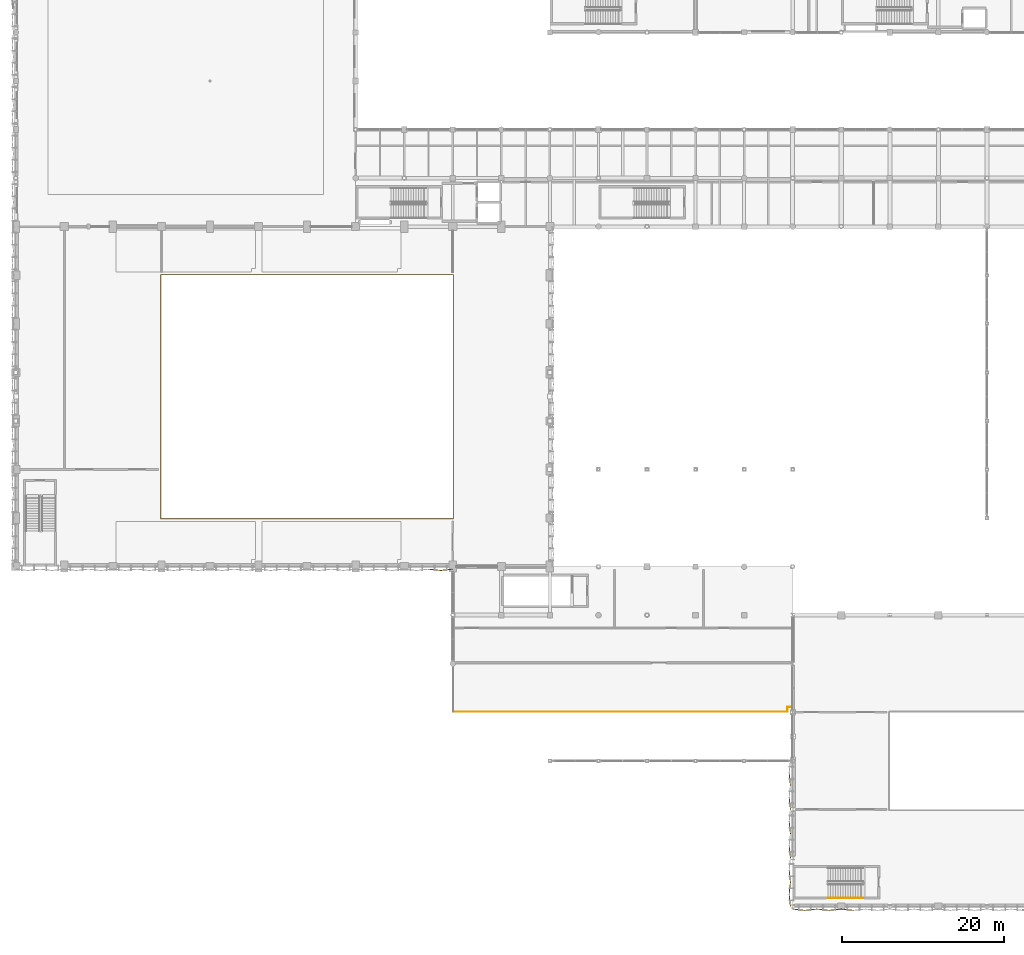
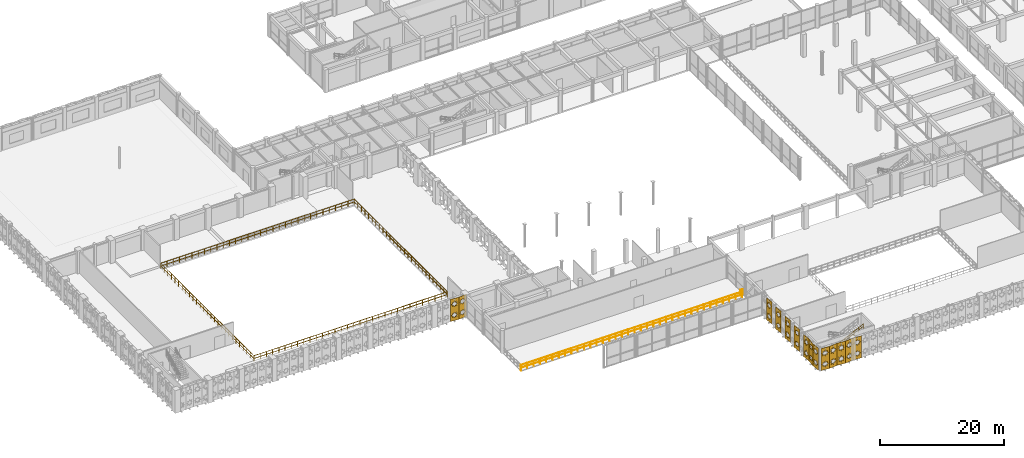
# One storey, part 108 of 116: 14 coverings, 3 railings.
"""IFC4 building model written with IfcOpenShell, lengths in metres."""

import ifcopenshell
import ifcopenshell.guid

model = None  # the IFC model being written
_history = None  # IfcOwnerHistory: only IFC2X3 demands one
_inside = {}  # id of a spatial element -> (the spatial element, [elements in it])
_under = {}  # id of a project, library or spatial element -> (it, [spatial elements below it])
_declared = {}  # id of a project -> (the project, [libraries it declares])
_typed = {}  # id of a type object -> (the type object, [elements of that type])
_made_of = {}  # id of a material, layer set ... -> (it, [elements and type objects made of it])


def new_model(schema):
    """Start an empty IFC model of exactly this schema.

    Asked for "IFC4X3", IfcOpenShell would pick the latest addendum, in which some entities
    have other attributes; the version numbers below select the first issue.
    IFC2X3 requires an IfcOwnerHistory on every rooted entity: one is made here for all.
    """
    global model, _history
    if schema == "IFC4X3":
        model = ifcopenshell.file(schema_version=(4, 3, 0, 0))
    else:
        model = ifcopenshell.file(schema=schema)
    _inside.clear()
    _under.clear()
    _declared.clear()
    _typed.clear()
    _made_of.clear()
    _history = None
    if model.schema == "IFC2X3":
        org = make("IfcOrganization", Name="unknown")
        user = make(
            "IfcPersonAndOrganization",
            ThePerson=make("IfcPerson", FamilyName="unknown"),
            TheOrganization=org,
        )
        app = make(
            "IfcApplication",
            ApplicationDeveloper=org,
            Version="unknown",
            ApplicationFullName="unknown",
            ApplicationIdentifier="unknown",
        )
        _history = make(
            "IfcOwnerHistory",
            OwningUser=user,
            OwningApplication=app,
            ChangeAction="ADDED",
            CreationDate=0,
        )
    return model


def make(cls, **values):
    """One entity of the class cls with the attributes given. An attribute that is None is left unset."""
    return model.create_entity(
        cls, **{name: value for name, value in values.items() if value is not None}
    )


def rooted(cls, **values):
    """An entity with a GlobalId (a new one), such as an element, a storey or a relation."""
    return make(cls, GlobalId=ifcopenshell.guid.new(), OwnerHistory=_history, **values)


def si_unit(unit_type, name, prefix=None):
    """IfcSIUnit, for example si_unit("LENGTHUNIT", "METRE", prefix="MILLI")."""
    return make("IfcSIUnit", UnitType=unit_type, Prefix=prefix, Name=name)


def assignment(units):
    """IfcUnitAssignment: the units of a project."""
    return None if units is None else make("IfcUnitAssignment", Units=units)


def point(xyz):
    """IfcCartesianPoint."""
    return None if xyz is None else make("IfcCartesianPoint", Coordinates=xyz)


def direction(xyz):
    """IfcDirection."""
    return None if xyz is None else make("IfcDirection", DirectionRatios=xyz)


def frame(location, z_axis=None, x_axis=None):
    """IfcAxis2Placement3D, a coordinate frame: its origin and axes. An axis left out is left unset."""
    return make(
        "IfcAxis2Placement3D",
        Location=point(location),
        Axis=direction(z_axis),
        RefDirection=direction(x_axis),
    )


def frame_2d(location, x_axis=None):
    """IfcAxis2Placement2D, a coordinate frame in the plane: its origin and x axis."""
    return make(
        "IfcAxis2Placement2D", Location=point(location), RefDirection=direction(x_axis)
    )


def origin():
    """The frame at (0, 0, 0) with its axes left unset."""
    return frame((0.0, 0.0, 0.0))


def origin_2d():
    """The frame at (0, 0) in the plane with its x axis left unset."""
    return frame_2d((0.0, 0.0))


def place(relative_to, where):
    """IfcLocalPlacement: puts the frame where relative to a parent placement (None: the world)."""
    return make(
        "IfcLocalPlacement", PlacementRelTo=relative_to, RelativePlacement=where
    )


def context(
    kind, dimensions, precision=None, world=None, true_north=None, identifier=None
):
    """IfcGeometricRepresentationContext, for example the 3D "Model" context."""
    return make(
        "IfcGeometricRepresentationContext",
        ContextIdentifier=identifier,
        ContextType=kind,
        CoordinateSpaceDimension=dimensions,
        Precision=precision,
        WorldCoordinateSystem=world,
        TrueNorth=true_north,
    )


def subcontext(parent, identifier, kind, view, scale=None):
    """IfcGeometricRepresentationSubContext, for example "Body" below "Model"."""
    return make(
        "IfcGeometricRepresentationSubContext",
        ContextIdentifier=identifier,
        ContextType=kind,
        ParentContext=parent,
        TargetScale=scale,
        TargetView=view,
    )


def project(units=None, contexts=None):
    """IfcProject with its units and contexts."""
    return rooted(
        "IfcProject",
        Name="project",
        RepresentationContexts=contexts,
        UnitsInContext=assignment(units),
    )


def spatial(cls, under=None, at=None, **own):
    """A site, building, storey or space (cls), placed at a placement, below another one or the project."""
    s = rooted(cls, ObjectPlacement=at, **own)
    if under is not None:
        _under.setdefault(under.id(), (under, []))[1].append(s)
    return s


def polyline(points):
    """IfcPolyline through the points."""
    return make("IfcPolyline", Points=[point(p) for p in points])


def profile(cls, at=None, kind="AREA", **sizes):
    """A parametric profile (cls). Its sizes go by their IFC names, for example OverallWidth=200.0."""
    return make(cls, ProfileType=kind, Position=at, **sizes)


def circle(**sizes):
    """IfcCircleProfileDef."""
    return profile("IfcCircleProfileDef", **sizes)


def outline(outer, holes=None, kind="AREA"):
    """IfcArbitraryClosedProfileDef: a profile drawn as a closed curve; with holes, ...WithVoids."""
    if holes is None:
        return make("IfcArbitraryClosedProfileDef", ProfileType=kind, OuterCurve=outer)
    return make(
        "IfcArbitraryProfileDefWithVoids",
        ProfileType=kind,
        OuterCurve=outer,
        InnerCurves=holes,
    )


def extrude(swept, where, along, depth):
    """IfcExtrudedAreaSolid: the profile swept, set in the frame where, extruded along a direction by depth."""
    return make(
        "IfcExtrudedAreaSolid",
        SweptArea=swept,
        Position=where,
        ExtrudedDirection=direction(along),
        Depth=depth,
    )


def shape(context_of_items, identifier, shape_type, items):
    """IfcShapeRepresentation: the items that make up one representation, for example the "Body"."""
    return make(
        "IfcShapeRepresentation",
        ContextOfItems=context_of_items,
        RepresentationIdentifier=identifier,
        RepresentationType=shape_type,
        Items=items,
    )


def material(Name=None, Category=None):
    """IfcMaterial."""
    return make("IfcMaterial", Name=Name, Category=Category)


def layer(
    of_material, thickness, ventilated=None, Name=None, Category=None, Priority=None
):
    """IfcMaterialLayer: one layer of a wall or slab, of a material (None: an air gap)."""
    return make(
        "IfcMaterialLayer",
        Material=of_material,
        LayerThickness=thickness,
        IsVentilated=ventilated,
        Name=Name,
        Category=Category,
        Priority=Priority,
    )


def layer_set(layers, Name=None):
    """IfcMaterialLayerSet."""
    return make("IfcMaterialLayerSet", MaterialLayers=layers, LayerSetName=Name)


def made_of(thing, what):
    """Note that an element or type object is made of a material, layer set ...; save() writes the relation."""
    if what is not None:
        _made_of.setdefault(what.id(), (what, []))[1].append(thing)
    return thing


def type_object(cls, material=None, **own):
    """A type object (cls), such as IfcWallType, which elements share."""
    return made_of(rooted(cls, **own), material)


def element(
    cls,
    number,
    at=None,
    inside=None,
    cuts=None,
    type_object=None,
    material=None,
    context=None,
    identifier="Body",
    shape_type=None,
    held_by="IfcProductDefinitionShape",
    body=None,
    shapes=None,
    **own,
):
    """One element of the class cls, such as IfcWall. Its Tag is "e" and its number.

    at: its placement. inside: the storey or other place that contains it. cuts: it is an
    opening in that element (IfcRelVoidsElement). A single representation is given by context,
    identifier, shape_type and body (its items); several are given by shapes. held_by: the class
    of the entity that holds the representations. save() writes the other relations.
    """
    e = rooted(cls, Tag="e%d" % number, ObjectPlacement=at, **own)
    if body is not None:
        shapes = [shape(context, identifier, shape_type, body)]
    if shapes is not None:
        e.Representation = make(held_by, Representations=shapes)
    if inside is not None:
        _inside.setdefault(inside.id(), (inside, []))[1].append(e)
    if cuts is not None:
        rooted(
            "IfcRelVoidsElement", RelatingBuildingElement=cuts, RelatedOpeningElement=e
        )
    if type_object is not None:
        _typed.setdefault(type_object.id(), (type_object, []))[1].append(e)
    return made_of(e, material)


def aggregate(whole, parts):
    """IfcRelAggregates: a whole, such as a stair, and the parts it consists of."""
    return rooted("IfcRelAggregates", RelatingObject=whole, RelatedObjects=parts)


def save(model, path):
    """Write the relations noted so far, then the file.

    IfcRelAggregates (storeys below a building ...), IfcRelContainedInSpatialStructure (elements
    in a storey), IfcRelDefinesByType, IfcRelAssociatesMaterial and IfcRelDeclares: one each for
    every whole, place, type object, material and project.
    """
    for whole, parts in _under.values():
        aggregate(whole, parts)
    for where, things in _inside.values():
        rooted(
            "IfcRelContainedInSpatialStructure",
            RelatedElements=things,
            RelatingStructure=where,
        )
    for kind, things in _typed.values():
        rooted("IfcRelDefinesByType", RelatedObjects=things, RelatingType=kind)
    for what, things in _made_of.values():
        rooted("IfcRelAssociatesMaterial", RelatedObjects=things, RelatingMaterial=what)
    for by, libraries in _declared.values():
        rooted("IfcRelDeclares", RelatingContext=by, RelatedDefinitions=libraries)
    model.write(path)


model = new_model("IFC4")

# Units and contexts
model_context = context("Model", 3, precision=1e-05, world=origin(), true_north=direction((0.0, 1.0)))
body_context = subcontext(model_context, "Body", "Model", "MODEL_VIEW")
ifc_project = project(units=[si_unit("LENGTHUNIT", "METRE"), si_unit("AREAUNIT", "SQUARE_METRE"), si_unit("VOLUMEUNIT", "CUBIC_METRE"), si_unit("PLANEANGLEUNIT", "RADIAN"), si_unit("MASSUNIT", "GRAM", prefix="KILO"), si_unit("THERMODYNAMICTEMPERATUREUNIT", "KELVIN"), si_unit("POWERUNIT", "WATT")], contexts=[model_context])

# Site, building, storey
site_placement = place(None, origin())
site = spatial("IfcSite", under=ifc_project, at=site_placement, CompositionType="ELEMENT")
building_placement = place(site_placement, origin())
building = spatial("IfcBuilding", under=site, at=building_placement, Name="Phaisarnlok Congress Hotel", CompositionType="ELEMENT")
storey_placement = place(building_placement, frame((0.0, 0.0, 10.5)))
storey = spatial("IfcBuildingStorey", under=building, at=storey_placement, Name="L02", CompositionType="ELEMENT", Elevation=10.5)

# Coverings
ifc_material_1 = material(Name="PVDF White Perforated Aluminium Alloy 5052", Category="aluminium")
ifc_layer = layer(ifc_material_1, 0.0400390625, Name="PVDF White Perforated Aluminium Alloy 5052")
ifc_layer_set = layer_set([ifc_layer], Name="PVDF White Perforated Aluminium Alloy 5052")
covering_type = type_object("IfcCoveringType", Name="COV-STAR-FOLD", PredefinedType="CLADDING", material=ifc_layer_set)
for number, where, z_axis, x_axis, name in (
    (1, (51.0, 41.699951171875, 0.06005859375), (-0.104566819602, -0.994517863207, 0.0), (0.994517863207, -0.104566819602, 0.0), "Folded star-perforated hall screen SS-02 (V1S L02)"),
    (2, (52.5, 41.542236328125, 0.06005859375), (0.104566819602, -0.994517863207, 0.0), (0.994517863207, 0.104566819602, 0.0), "Folded star-perforated hall screen SS-02 (V1S L02)"),
    (3, (96.0, -0.300048828125, 0.06005859375), (-0.104566819602, -0.994517863207, 0.0), (0.994517863207, -0.104566819602, 0.0), "Folded star-perforated hall screen SS-02 (V2S L02)"),
    (4, (97.5, -0.457763671875, 0.06005859375), (0.104566819602, -0.994517863207, 0.0), (0.994517863207, 0.104566819602, 0.0), "Folded star-perforated hall screen SS-02 (V2S L02)"),
    (5, (99.0, -0.300048828125, 0.06005859375), (-0.104566819602, -0.994517863207, 0.0), (0.994517863207, -0.104566819602, 0.0), "Folded star-perforated hall screen SS-02 (V2S L02)"),
    (6, (100.5, -0.457763671875, 0.06005859375), (0.104566819602, -0.994517863207, 0.0), (0.994517863207, 0.104566819602, 0.0), "Folded star-perforated hall screen SS-02 (V2S L02)"),
    (7, (102.0, -0.300048828125, 0.06005859375), (-0.104566819602, -0.994517863207, 0.0), (0.994517863207, -0.104566819602, 0.0), "Folded star-perforated hall screen SS-02 (V2S L02)"),
    (8, (95.699951171875, 0.0, 0.06005859375), (0.994517863207, 0.104566819602, 0.0), (-0.104566819602, 0.994517863207, 0.0), "Folded star-perforated hall screen SS-02 (V2W L02)"),
    (9, (95.542236328125, 1.5, 0.06005859375), (0.994517863207, -0.104566819602, 0.0), (0.104566819602, 0.994517863207, 0.0), "Folded star-perforated hall screen SS-02 (V2W L02)"),
    (10, (95.699951171875, 3.0, 0.06005859375), (0.994517863207, 0.104566819602, 0.0), (-0.104566819602, 0.994517863207, 0.0), "Folded star-perforated hall screen SS-02 (V2W L02)"),
    (11, (95.699951171875, 6.0, 0.06005859375), (0.994517863207, 0.104566819602, 0.0), (-0.104566819602, 0.994517863207, 0.0), "Folded star-perforated hall screen SS-02 (V2W L02)"),
    (12, (95.699951171875, 9.0, 0.06005859375), (0.994517863207, 0.104566819602, 0.0), (-0.104566819602, 0.994517863207, 0.0), "Folded star-perforated hall screen SS-02 (V2W L02)"),
    (13, (95.699951171875, 12.0, 0.06005859375), (0.994517863207, 0.104566819602, 0.0), (-0.104566819602, 0.994517863207, 0.0), "Folded star-perforated hall screen SS-02 (V2W L02)"),
    (14, (95.699951171875, 15.0, 0.06005859375), (0.994517863207, 0.104566819602, 0.0), (-0.104566819602, 0.994517863207, 0.0), "Folded star-perforated hall screen SS-02 (V2W L02)"),
):
    element("IfcCovering", number, at=place(storey_placement, frame(where, z_axis=z_axis, x_axis=x_axis)), inside=storey, type_object=covering_type, Name=name, PredefinedType="CLADDING", context=body_context, shape_type="SweptSolid", body=[
        extrude(outline(polyline([(0.0, 0.0), (1.5082685344258453, 0.0), (1.5082685344258453, 4.35986328125), (0.0, 4.35986328125), (0.0, 0.0)]), holes=[polyline([(1.0351, 0.9736), (1.2021, 0.6421), (0.8705, 0.8091), (0.7541, 0.4565), (0.6378, 0.8091), (0.3062, 0.6421), (0.4732, 0.9736), (0.1207, 1.09), (0.4732, 1.2064), (0.3062, 1.5379), (0.6378, 1.3709), (0.7541, 1.7235), (0.8705, 1.3709), (1.2021, 1.5379), (1.0351, 1.2064), (1.3876, 1.09), (1.0351, 0.9736)]), polyline([(1.0351, 3.1536), (1.2021, 2.8221), (0.8705, 2.9891), (0.7541, 2.6365), (0.6378, 2.9891), (0.3062, 2.8221), (0.4732, 3.1536), (0.1207, 3.27), (0.4732, 3.3864), (0.3062, 3.7179), (0.6378, 3.5509), (0.7541, 3.9035), (0.8705, 3.5509), (1.2021, 3.7179), (1.0351, 3.3864), (1.3876, 3.27), (1.0351, 3.1536)])]), origin(), (0.0, 0.0, 1.0), 0.0400390625),
    ])

# Railings
ifc_material_2 = material(Name="Laminated Glass & Stainless Steel Grade 316", Category="steel")
railing_type_1 = type_object("IfcRailingType", Name="RLG-INT-1100", PredefinedType="BALUSTRADE", material=ifc_material_2)
railing_1_placement = place(storey_placement, frame((54.080078125, 47.919921875, 0.0)))
element("IfcRailing", 15, at=railing_1_placement, inside=storey, type_object=railing_type_1, Name="Atrium gallery guard balustrade GD-02 (L02 v1)", PredefinedType="BALUSTRADE", context=body_context, shape_type="SweptSolid", body=[
    extrude(circle(Radius=0.02392578125, at=origin_2d()), frame((0.0, 0.0, 1.076171875), z_axis=(0.0, 1.0, 0.0), x_axis=(-1.0, 0.0, 0.0)), (0.0, 0.0, 1.0), 30.16015625),
    extrude(circle(Radius=0.02392578125, at=origin_2d()), frame((0.0, 0.0, 0.52587890625), z_axis=(0.0, 1.0, 0.0), x_axis=(-1.0, 0.0, 0.0)), (0.0, 0.0, 1.0), 30.16015625),
    extrude(circle(Radius=0.02392578125, at=origin_2d()), frame((0.0, 30.16015625, 1.076171875), z_axis=(-1.0, 0.0, 0.0), x_axis=(0.0, -1.0, 0.0)), (0.0, 0.0, 1.0), 36.16015625),
    extrude(circle(Radius=0.02392578125, at=origin_2d()), frame((0.0, 30.16015625, 0.52587890625), z_axis=(-1.0, 0.0, 0.0), x_axis=(0.0, -1.0, 0.0)), (0.0, 0.0, 1.0), 36.16015625),
    extrude(circle(Radius=0.02392578125, at=origin_2d()), frame((-36.16015625, 30.16015625, 1.076171875), z_axis=(0.0, -1.0, 0.0), x_axis=(1.0, 0.0, 0.0)), (0.0, 0.0, 1.0), 30.16015625),
    extrude(circle(Radius=0.02392578125, at=origin_2d()), frame((-36.16015625, 30.16015625, 0.52587890625), z_axis=(0.0, -1.0, 0.0), x_axis=(1.0, 0.0, 0.0)), (0.0, 0.0, 1.0), 30.16015625),
    extrude(circle(Radius=0.02392578125, at=origin_2d()), frame((-36.16015625, 0.0, 1.076171875), z_axis=(1.0, 0.0, 0.0), x_axis=(0.0, 1.0, 0.0)), (0.0, 0.0, 1.0), 36.16015625),
    extrude(circle(Radius=0.02392578125, at=origin_2d()), frame((-36.16015625, 0.0, 0.52587890625), z_axis=(1.0, 0.0, 0.0), x_axis=(0.0, 1.0, 0.0)), (0.0, 0.0, 1.0), 36.16015625),
    extrude(circle(Radius=0.02099609375, at=origin_2d()), origin(), (0.0, 0.0, 1.0), 1.052001953125),
    extrude(circle(Radius=0.02099609375, at=origin_2d()), frame((0.0, 1.159912109375, 0.0)), (0.0, 0.0, 1.0), 1.052001953125),
    extrude(circle(Radius=0.02099609375, at=origin_2d()), frame((0.0, 2.320068359375, 0.0)), (0.0, 0.0, 1.0), 1.052001953125),
    extrude(circle(Radius=0.02099609375, at=origin_2d()), frame((0.0, 3.47998046875, 0.0)), (0.0, 0.0, 1.0), 1.052001953125),
    extrude(circle(Radius=0.02099609375, at=origin_2d()), frame((0.0, 4.64013671875, 0.0)), (0.0, 0.0, 1.0), 1.052001953125),
    extrude(circle(Radius=0.02099609375, at=origin_2d()), frame((0.0, 5.800048828125, 0.0)), (0.0, 0.0, 1.0), 1.052001953125),
    extrude(circle(Radius=0.02099609375, at=origin_2d()), frame((0.0, 6.9599609375, 0.0)), (0.0, 0.0, 1.0), 1.052001953125),
    extrude(circle(Radius=0.02099609375, at=origin_2d()), frame((0.0, 8.1201171875, 0.0)), (0.0, 0.0, 1.0), 1.052001953125),
    extrude(circle(Radius=0.02099609375, at=origin_2d()), frame((0.0, 9.280029296875, 0.0)), (0.0, 0.0, 1.0), 1.052001953125),
    extrude(circle(Radius=0.02099609375, at=origin_2d()), frame((0.0, 10.43994140625, 0.0)), (0.0, 0.0, 1.0), 1.052001953125),
    extrude(circle(Radius=0.02099609375, at=origin_2d()), frame((0.0, 11.60009765625, 0.0)), (0.0, 0.0, 1.0), 1.052001953125),
    extrude(circle(Radius=0.02099609375, at=origin_2d()), frame((0.0, 12.760009765625, 0.0)), (0.0, 0.0, 1.0), 1.052001953125),
    extrude(circle(Radius=0.02099609375, at=origin_2d()), frame((0.0, 13.920166015625, 0.0)), (0.0, 0.0, 1.0), 1.052001953125),
    extrude(circle(Radius=0.02099609375, at=origin_2d()), frame((0.0, 15.080078125, 0.0)), (0.0, 0.0, 1.0), 1.052001953125),
    extrude(circle(Radius=0.02099609375, at=origin_2d()), frame((0.0, 16.239990234375, 0.0)), (0.0, 0.0, 1.0), 1.052001953125),
    extrude(circle(Radius=0.02099609375, at=origin_2d()), frame((0.0, 17.400146484375, 0.0)), (0.0, 0.0, 1.0), 1.052001953125),
    extrude(circle(Radius=0.02099609375, at=origin_2d()), frame((0.0, 18.56005859375, 0.0)), (0.0, 0.0, 1.0), 1.052001953125),
    extrude(circle(Radius=0.02099609375, at=origin_2d()), frame((0.0, 19.72021484375, 0.0)), (0.0, 0.0, 1.0), 1.052001953125),
    extrude(circle(Radius=0.02099609375, at=origin_2d()), frame((0.0, 20.880126953125, 0.0)), (0.0, 0.0, 1.0), 1.052001953125),
    extrude(circle(Radius=0.02099609375, at=origin_2d()), frame((0.0, 22.0400390625, 0.0)), (0.0, 0.0, 1.0), 1.052001953125),
    extrude(circle(Radius=0.02099609375, at=origin_2d()), frame((0.0, 23.2001953125, 0.0)), (0.0, 0.0, 1.0), 1.052001953125),
    extrude(circle(Radius=0.02099609375, at=origin_2d()), frame((0.0, 24.360107421875, 0.0)), (0.0, 0.0, 1.0), 1.052001953125),
    extrude(circle(Radius=0.02099609375, at=origin_2d()), frame((0.0, 25.52001953125, 0.0)), (0.0, 0.0, 1.0), 1.052001953125),
    extrude(circle(Radius=0.02099609375, at=origin_2d()), frame((0.0, 26.68017578125, 0.0)), (0.0, 0.0, 1.0), 1.052001953125),
    extrude(circle(Radius=0.02099609375, at=origin_2d()), frame((0.0, 27.840087890625, 0.0)), (0.0, 0.0, 1.0), 1.052001953125),
    extrude(circle(Radius=0.02099609375, at=origin_2d()), frame((0.0, 29.000244140625, 0.0)), (0.0, 0.0, 1.0), 1.052001953125),
    extrude(circle(Radius=0.02099609375, at=origin_2d()), frame((0.0, 30.16015625, 0.0)), (0.0, 0.0, 1.0), 1.052001953125),
    extrude(circle(Radius=0.02099609375, at=origin_2d()), frame((-1.16650390625, 30.16015625, 0.0)), (0.0, 0.0, 1.0), 1.052001953125),
    extrude(circle(Radius=0.02099609375, at=origin_2d()), frame((-2.3330078125, 30.16015625, 0.0)), (0.0, 0.0, 1.0), 1.052001953125),
    extrude(circle(Radius=0.02099609375, at=origin_2d()), frame((-3.499267578125, 30.16015625, 0.0)), (0.0, 0.0, 1.0), 1.052001953125),
    extrude(circle(Radius=0.02099609375, at=origin_2d()), frame((-4.665771484375, 30.16015625, 0.0)), (0.0, 0.0, 1.0), 1.052001953125),
    extrude(circle(Radius=0.02099609375, at=origin_2d()), frame((-5.832275390625, 30.16015625, 0.0)), (0.0, 0.0, 1.0), 1.052001953125),
    extrude(circle(Radius=0.02099609375, at=origin_2d()), frame((-6.998779296875, 30.16015625, 0.0)), (0.0, 0.0, 1.0), 1.052001953125),
    extrude(circle(Radius=0.02099609375, at=origin_2d()), frame((-8.165283203125, 30.16015625, 0.0)), (0.0, 0.0, 1.0), 1.052001953125),
    extrude(circle(Radius=0.02099609375, at=origin_2d()), frame((-9.33154296875, 30.16015625, 0.0)), (0.0, 0.0, 1.0), 1.052001953125),
    extrude(circle(Radius=0.02099609375, at=origin_2d()), frame((-10.498046875, 30.16015625, 0.0)), (0.0, 0.0, 1.0), 1.052001953125),
    extrude(circle(Radius=0.02099609375, at=origin_2d()), frame((-11.66455078125, 30.16015625, 0.0)), (0.0, 0.0, 1.0), 1.052001953125),
    extrude(circle(Radius=0.02099609375, at=origin_2d()), frame((-12.8310546875, 30.16015625, 0.0)), (0.0, 0.0, 1.0), 1.052001953125),
    extrude(circle(Radius=0.02099609375, at=origin_2d()), frame((-13.99755859375, 30.16015625, 0.0)), (0.0, 0.0, 1.0), 1.052001953125),
    extrude(circle(Radius=0.02099609375, at=origin_2d()), frame((-15.163818359375, 30.16015625, 0.0)), (0.0, 0.0, 1.0), 1.052001953125),
    extrude(circle(Radius=0.02099609375, at=origin_2d()), frame((-16.330322265625, 30.16015625, 0.0)), (0.0, 0.0, 1.0), 1.052001953125),
    extrude(circle(Radius=0.02099609375, at=origin_2d()), frame((-17.496826171875, 30.16015625, 0.0)), (0.0, 0.0, 1.0), 1.052001953125),
    extrude(circle(Radius=0.02099609375, at=origin_2d()), frame((-18.663330078125, 30.16015625, 0.0)), (0.0, 0.0, 1.0), 1.052001953125),
    extrude(circle(Radius=0.02099609375, at=origin_2d()), frame((-19.829833984375, 30.16015625, 0.0)), (0.0, 0.0, 1.0), 1.052001953125),
    extrude(circle(Radius=0.02099609375, at=origin_2d()), frame((-20.996337890625, 30.16015625, 0.0)), (0.0, 0.0, 1.0), 1.052001953125),
    extrude(circle(Radius=0.02099609375, at=origin_2d()), frame((-22.16259765625, 30.16015625, 0.0)), (0.0, 0.0, 1.0), 1.052001953125),
    extrude(circle(Radius=0.02099609375, at=origin_2d()), frame((-23.3291015625, 30.16015625, 0.0)), (0.0, 0.0, 1.0), 1.052001953125),
    extrude(circle(Radius=0.02099609375, at=origin_2d()), frame((-24.49560546875, 30.16015625, 0.0)), (0.0, 0.0, 1.0), 1.052001953125),
    extrude(circle(Radius=0.02099609375, at=origin_2d()), frame((-25.662109375, 30.16015625, 0.0)), (0.0, 0.0, 1.0), 1.052001953125),
    extrude(circle(Radius=0.02099609375, at=origin_2d()), frame((-26.82861328125, 30.16015625, 0.0)), (0.0, 0.0, 1.0), 1.052001953125),
    extrude(circle(Radius=0.02099609375, at=origin_2d()), frame((-27.994873046875, 30.16015625, 0.0)), (0.0, 0.0, 1.0), 1.052001953125),
    extrude(circle(Radius=0.02099609375, at=origin_2d()), frame((-29.161376953125, 30.16015625, 0.0)), (0.0, 0.0, 1.0), 1.052001953125),
    extrude(circle(Radius=0.02099609375, at=origin_2d()), frame((-30.327880859375, 30.16015625, 0.0)), (0.0, 0.0, 1.0), 1.052001953125),
    extrude(circle(Radius=0.02099609375, at=origin_2d()), frame((-31.494384765625, 30.16015625, 0.0)), (0.0, 0.0, 1.0), 1.052001953125),
    extrude(circle(Radius=0.02099609375, at=origin_2d()), frame((-32.660888671875, 30.16015625, 0.0)), (0.0, 0.0, 1.0), 1.052001953125),
    extrude(circle(Radius=0.02099609375, at=origin_2d()), frame((-33.8271484375, 30.16015625, 0.0)), (0.0, 0.0, 1.0), 1.052001953125),
    extrude(circle(Radius=0.02099609375, at=origin_2d()), frame((-34.99365234375, 30.16015625, 0.0)), (0.0, 0.0, 1.0), 1.052001953125),
    extrude(circle(Radius=0.02099609375, at=origin_2d()), frame((-36.16015625, 30.16015625, 0.0)), (0.0, 0.0, 1.0), 1.052001953125),
    extrude(circle(Radius=0.02099609375, at=origin_2d()), frame((-36.16015625, 29.000244140625, 0.0)), (0.0, 0.0, 1.0), 1.052001953125),
    extrude(circle(Radius=0.02099609375, at=origin_2d()), frame((-36.16015625, 27.840087890625, 0.0)), (0.0, 0.0, 1.0), 1.052001953125),
    extrude(circle(Radius=0.02099609375, at=origin_2d()), frame((-36.16015625, 26.68017578125, 0.0)), (0.0, 0.0, 1.0), 1.052001953125),
    extrude(circle(Radius=0.02099609375, at=origin_2d()), frame((-36.16015625, 25.52001953125, 0.0)), (0.0, 0.0, 1.0), 1.052001953125),
    extrude(circle(Radius=0.02099609375, at=origin_2d()), frame((-36.16015625, 24.360107421875, 0.0)), (0.0, 0.0, 1.0), 1.052001953125),
    extrude(circle(Radius=0.02099609375, at=origin_2d()), frame((-36.16015625, 23.2001953125, 0.0)), (0.0, 0.0, 1.0), 1.052001953125),
    extrude(circle(Radius=0.02099609375, at=origin_2d()), frame((-36.16015625, 22.0400390625, 0.0)), (0.0, 0.0, 1.0), 1.052001953125),
    extrude(circle(Radius=0.02099609375, at=origin_2d()), frame((-36.16015625, 20.880126953125, 0.0)), (0.0, 0.0, 1.0), 1.052001953125),
    extrude(circle(Radius=0.02099609375, at=origin_2d()), frame((-36.16015625, 19.72021484375, 0.0)), (0.0, 0.0, 1.0), 1.052001953125),
    extrude(circle(Radius=0.02099609375, at=origin_2d()), frame((-36.16015625, 18.56005859375, 0.0)), (0.0, 0.0, 1.0), 1.052001953125),
    extrude(circle(Radius=0.02099609375, at=origin_2d()), frame((-36.16015625, 17.400146484375, 0.0)), (0.0, 0.0, 1.0), 1.052001953125),
    extrude(circle(Radius=0.02099609375, at=origin_2d()), frame((-36.16015625, 16.239990234375, 0.0)), (0.0, 0.0, 1.0), 1.052001953125),
    extrude(circle(Radius=0.02099609375, at=origin_2d()), frame((-36.16015625, 15.080078125, 0.0)), (0.0, 0.0, 1.0), 1.052001953125),
    extrude(circle(Radius=0.02099609375, at=origin_2d()), frame((-36.16015625, 13.920166015625, 0.0)), (0.0, 0.0, 1.0), 1.052001953125),
    extrude(circle(Radius=0.02099609375, at=origin_2d()), frame((-36.16015625, 12.760009765625, 0.0)), (0.0, 0.0, 1.0), 1.052001953125),
    extrude(circle(Radius=0.02099609375, at=origin_2d()), frame((-36.16015625, 11.60009765625, 0.0)), (0.0, 0.0, 1.0), 1.052001953125),
    extrude(circle(Radius=0.02099609375, at=origin_2d()), frame((-36.16015625, 10.43994140625, 0.0)), (0.0, 0.0, 1.0), 1.052001953125),
    extrude(circle(Radius=0.02099609375, at=origin_2d()), frame((-36.16015625, 9.280029296875, 0.0)), (0.0, 0.0, 1.0), 1.052001953125),
    extrude(circle(Radius=0.02099609375, at=origin_2d()), frame((-36.16015625, 8.1201171875, 0.0)), (0.0, 0.0, 1.0), 1.052001953125),
    extrude(circle(Radius=0.02099609375, at=origin_2d()), frame((-36.16015625, 6.9599609375, 0.0)), (0.0, 0.0, 1.0), 1.052001953125),
    extrude(circle(Radius=0.02099609375, at=origin_2d()), frame((-36.16015625, 5.800048828125, 0.0)), (0.0, 0.0, 1.0), 1.052001953125),
    extrude(circle(Radius=0.02099609375, at=origin_2d()), frame((-36.16015625, 4.64013671875, 0.0)), (0.0, 0.0, 1.0), 1.052001953125),
    extrude(circle(Radius=0.02099609375, at=origin_2d()), frame((-36.16015625, 3.47998046875, 0.0)), (0.0, 0.0, 1.0), 1.052001953125),
    extrude(circle(Radius=0.02099609375, at=origin_2d()), frame((-36.16015625, 2.320068359375, 0.0)), (0.0, 0.0, 1.0), 1.052001953125),
    extrude(circle(Radius=0.02099609375, at=origin_2d()), frame((-36.16015625, 1.159912109375, 0.0)), (0.0, 0.0, 1.0), 1.052001953125),
    extrude(circle(Radius=0.02099609375, at=origin_2d()), frame((-36.16015625, 0.0, 0.0)), (0.0, 0.0, 1.0), 1.052001953125),
    extrude(circle(Radius=0.02099609375, at=origin_2d()), frame((-34.99365234375, 0.0, 0.0)), (0.0, 0.0, 1.0), 1.052001953125),
    extrude(circle(Radius=0.02099609375, at=origin_2d()), frame((-33.8271484375, 0.0, 0.0)), (0.0, 0.0, 1.0), 1.052001953125),
    extrude(circle(Radius=0.02099609375, at=origin_2d()), frame((-32.660888671875, 0.0, 0.0)), (0.0, 0.0, 1.0), 1.052001953125),
    extrude(circle(Radius=0.02099609375, at=origin_2d()), frame((-31.494384765625, 0.0, 0.0)), (0.0, 0.0, 1.0), 1.052001953125),
    extrude(circle(Radius=0.02099609375, at=origin_2d()), frame((-30.327880859375, 0.0, 0.0)), (0.0, 0.0, 1.0), 1.052001953125),
    extrude(circle(Radius=0.02099609375, at=origin_2d()), frame((-29.161376953125, 0.0, 0.0)), (0.0, 0.0, 1.0), 1.052001953125),
    extrude(circle(Radius=0.02099609375, at=origin_2d()), frame((-27.994873046875, 0.0, 0.0)), (0.0, 0.0, 1.0), 1.052001953125),
    extrude(circle(Radius=0.02099609375, at=origin_2d()), frame((-26.82861328125, 0.0, 0.0)), (0.0, 0.0, 1.0), 1.052001953125),
    extrude(circle(Radius=0.02099609375, at=origin_2d()), frame((-25.662109375, 0.0, 0.0)), (0.0, 0.0, 1.0), 1.052001953125),
    extrude(circle(Radius=0.02099609375, at=origin_2d()), frame((-24.49560546875, 0.0, 0.0)), (0.0, 0.0, 1.0), 1.052001953125),
    extrude(circle(Radius=0.02099609375, at=origin_2d()), frame((-23.3291015625, 0.0, 0.0)), (0.0, 0.0, 1.0), 1.052001953125),
    extrude(circle(Radius=0.02099609375, at=origin_2d()), frame((-22.16259765625, 0.0, 0.0)), (0.0, 0.0, 1.0), 1.052001953125),
    extrude(circle(Radius=0.02099609375, at=origin_2d()), frame((-20.996337890625, 0.0, 0.0)), (0.0, 0.0, 1.0), 1.052001953125),
    extrude(circle(Radius=0.02099609375, at=origin_2d()), frame((-19.829833984375, 0.0, 0.0)), (0.0, 0.0, 1.0), 1.052001953125),
    extrude(circle(Radius=0.02099609375, at=origin_2d()), frame((-18.663330078125, 0.0, 0.0)), (0.0, 0.0, 1.0), 1.052001953125),
    extrude(circle(Radius=0.02099609375, at=origin_2d()), frame((-17.496826171875, 0.0, 0.0)), (0.0, 0.0, 1.0), 1.052001953125),
    extrude(circle(Radius=0.02099609375, at=origin_2d()), frame((-16.330322265625, 0.0, 0.0)), (0.0, 0.0, 1.0), 1.052001953125),
    extrude(circle(Radius=0.02099609375, at=origin_2d()), frame((-15.163818359375, 0.0, 0.0)), (0.0, 0.0, 1.0), 1.052001953125),
    extrude(circle(Radius=0.02099609375, at=origin_2d()), frame((-13.99755859375, 0.0, 0.0)), (0.0, 0.0, 1.0), 1.052001953125),
    extrude(circle(Radius=0.02099609375, at=origin_2d()), frame((-12.8310546875, 0.0, 0.0)), (0.0, 0.0, 1.0), 1.052001953125),
    extrude(circle(Radius=0.02099609375, at=origin_2d()), frame((-11.66455078125, 0.0, 0.0)), (0.0, 0.0, 1.0), 1.052001953125),
    extrude(circle(Radius=0.02099609375, at=origin_2d()), frame((-10.498046875, 0.0, 0.0)), (0.0, 0.0, 1.0), 1.052001953125),
    extrude(circle(Radius=0.02099609375, at=origin_2d()), frame((-9.33154296875, 0.0, 0.0)), (0.0, 0.0, 1.0), 1.052001953125),
    extrude(circle(Radius=0.02099609375, at=origin_2d()), frame((-8.165283203125, 0.0, 0.0)), (0.0, 0.0, 1.0), 1.052001953125),
    extrude(circle(Radius=0.02099609375, at=origin_2d()), frame((-6.998779296875, 0.0, 0.0)), (0.0, 0.0, 1.0), 1.052001953125),
    extrude(circle(Radius=0.02099609375, at=origin_2d()), frame((-5.832275390625, 0.0, 0.0)), (0.0, 0.0, 1.0), 1.052001953125),
    extrude(circle(Radius=0.02099609375, at=origin_2d()), frame((-4.665771484375, 0.0, 0.0)), (0.0, 0.0, 1.0), 1.052001953125),
    extrude(circle(Radius=0.02099609375, at=origin_2d()), frame((-3.499267578125, 0.0, 0.0)), (0.0, 0.0, 1.0), 1.052001953125),
    extrude(circle(Radius=0.02099609375, at=origin_2d()), frame((-2.3330078125, 0.0, 0.0)), (0.0, 0.0, 1.0), 1.052001953125),
    extrude(circle(Radius=0.02099609375, at=origin_2d()), frame((-1.16650390625, 0.0, 0.0)), (0.0, 0.0, 1.0), 1.052001953125),
])
ifc_material_3 = material(Name="Brushed Stainless Steel Grade 304", Category="steel")
railing_type_2 = type_object("IfcRailingType", Name="RLG-STR-HRAIL", PredefinedType="HANDRAIL", material=ifc_material_3)
railing_2_placement = place(storey_placement, frame((100.3798828125, 1.050048828125, 2.39990234375)))
element("IfcRailing", 16, at=railing_2_placement, inside=storey, type_object=railing_type_2, Name="L02 ST-04 stair handrail 2", PredefinedType="HANDRAIL", context=body_context, shape_type="SweptSolid", body=[
    extrude(circle(Radius=0.02392578125, at=origin_2d()), frame((0.0, 0.0, 0.8759765625), z_axis=(0.900154768424, 0.0, 0.435570192832), x_axis=(0.0, 1.0, 0.0)), (0.0, 0.0, 1.0), 4.821533203125),
    extrude(circle(Radius=0.02392578125, at=origin_2d()), frame((0.0, 0.0, 0.42578125), z_axis=(0.900154768424, 0.0, 0.435570192832), x_axis=(0.0, 1.0, 0.0)), (0.0, 0.0, 1.0), 4.821533203125),
    extrude(circle(Radius=0.02099609375, at=origin_2d()), origin(), (0.0, 0.0, 1.0), 0.851806640625),
    extrude(circle(Radius=0.02099609375, at=origin_2d()), frame((0.867919921875, 0.0, 0.419921875)), (0.0, 0.0, 1.0), 0.851806640625),
    extrude(circle(Radius=0.02099609375, at=origin_2d()), frame((1.736083984375, 0.0, 0.840087890625)), (0.0, 0.0, 1.0), 0.851806640625),
    extrude(circle(Radius=0.02099609375, at=origin_2d()), frame((2.60400390625, 0.0, 1.260009765625)), (0.0, 0.0, 1.0), 0.851806640625),
    extrude(circle(Radius=0.02099609375, at=origin_2d()), frame((3.47216796875, 0.0, 1.68017578125)), (0.0, 0.0, 1.0), 0.851806640625),
    extrude(circle(Radius=0.02099609375, at=origin_2d()), frame((4.340087890625, 0.0, 2.10009765625)), (0.0, 0.0, 1.0), 0.851806640625),
])
railing_type_3 = type_object("IfcRailingType", Name="RLG-TER-1100", PredefinedType="BALUSTRADE", material=ifc_material_2)
railing_3_placement = place(storey_placement, frame((95.760009765625, 24.659912109375, 0.0)))
element("IfcRailing", 17, at=railing_3_placement, inside=storey, type_object=railing_type_3, Name="Terrace balustrade guard GD-01 (L02 foyer_terrace_s)", PredefinedType="BALUSTRADE", context=body_context, shape_type="SweptSolid", body=[
    extrude(circle(Radius=0.02392578125, at=origin_2d()), frame((0.0, 0.0, 1.076171875), z_axis=(-1.0, 0.0, 0.0), x_axis=(0.0, -1.0, 0.0)), (0.0, 0.0, 1.0), 0.419921875),
    extrude(circle(Radius=0.02392578125, at=origin_2d()), frame((0.0, 0.0, 0.52587890625), z_axis=(-1.0, 0.0, 0.0), x_axis=(0.0, -1.0, 0.0)), (0.0, 0.0, 1.0), 0.419921875),
    extrude(circle(Radius=0.02392578125, at=origin_2d()), frame((-0.419921875, 0.0, 1.076171875), z_axis=(0.0, -1.0, 0.0), x_axis=(1.0, 0.0, 0.0)), (0.0, 0.0, 1.0), 0.599853515625),
    extrude(circle(Radius=0.02392578125, at=origin_2d()), frame((-0.419921875, 0.0, 0.52587890625), z_axis=(0.0, -1.0, 0.0), x_axis=(1.0, 0.0, 0.0)), (0.0, 0.0, 1.0), 0.599853515625),
    extrude(circle(Radius=0.02392578125, at=origin_2d()), frame((-0.419921875, -0.599853515625, 1.076171875), z_axis=(-1.0, 0.0, 0.0), x_axis=(0.0, -1.0, 0.0)), (0.0, 0.0, 1.0), 41.280029296875),
    extrude(circle(Radius=0.02392578125, at=origin_2d()), frame((-0.419921875, -0.599853515625, 0.52587890625), z_axis=(-1.0, 0.0, 0.0), x_axis=(0.0, -1.0, 0.0)), (0.0, 0.0, 1.0), 41.280029296875),
    extrude(circle(Radius=0.02099609375, at=origin_2d()), origin(), (0.0, 0.0, 1.0), 1.052001953125),
    extrude(circle(Radius=0.02099609375, at=origin_2d()), frame((-0.419921875, 0.0, 0.0)), (0.0, 0.0, 1.0), 1.052001953125),
    extrude(circle(Radius=0.02099609375, at=origin_2d()), frame((-0.419921875, -0.599853515625, 0.0)), (0.0, 0.0, 1.0), 1.052001953125),
    extrude(circle(Radius=0.02099609375, at=origin_2d()), frame((-1.599365234375, -0.599853515625, 0.0)), (0.0, 0.0, 1.0), 1.052001953125),
    extrude(circle(Radius=0.02099609375, at=origin_2d()), frame((-2.77880859375, -0.599853515625, 0.0)), (0.0, 0.0, 1.0), 1.052001953125),
    extrude(circle(Radius=0.02099609375, at=origin_2d()), frame((-3.958251953125, -0.599853515625, 0.0)), (0.0, 0.0, 1.0), 1.052001953125),
    extrude(circle(Radius=0.02099609375, at=origin_2d()), frame((-5.1376953125, -0.599853515625, 0.0)), (0.0, 0.0, 1.0), 1.052001953125),
    extrude(circle(Radius=0.02099609375, at=origin_2d()), frame((-6.317138671875, -0.599853515625, 0.0)), (0.0, 0.0, 1.0), 1.052001953125),
    extrude(circle(Radius=0.02099609375, at=origin_2d()), frame((-7.49658203125, -0.599853515625, 0.0)), (0.0, 0.0, 1.0), 1.052001953125),
    extrude(circle(Radius=0.02099609375, at=origin_2d()), frame((-8.676025390625, -0.599853515625, 0.0)), (0.0, 0.0, 1.0), 1.052001953125),
    extrude(circle(Radius=0.02099609375, at=origin_2d()), frame((-9.85546875, -0.599853515625, 0.0)), (0.0, 0.0, 1.0), 1.052001953125),
    extrude(circle(Radius=0.02099609375, at=origin_2d()), frame((-11.03466796875, -0.599853515625, 0.0)), (0.0, 0.0, 1.0), 1.052001953125),
    extrude(circle(Radius=0.02099609375, at=origin_2d()), frame((-12.214111328125, -0.599853515625, 0.0)), (0.0, 0.0, 1.0), 1.052001953125),
    extrude(circle(Radius=0.02099609375, at=origin_2d()), frame((-13.3935546875, -0.599853515625, 0.0)), (0.0, 0.0, 1.0), 1.052001953125),
    extrude(circle(Radius=0.02099609375, at=origin_2d()), frame((-14.572998046875, -0.599853515625, 0.0)), (0.0, 0.0, 1.0), 1.052001953125),
    extrude(circle(Radius=0.02099609375, at=origin_2d()), frame((-15.75244140625, -0.599853515625, 0.0)), (0.0, 0.0, 1.0), 1.052001953125),
    extrude(circle(Radius=0.02099609375, at=origin_2d()), frame((-16.931884765625, -0.599853515625, 0.0)), (0.0, 0.0, 1.0), 1.052001953125),
    extrude(circle(Radius=0.02099609375, at=origin_2d()), frame((-18.111328125, -0.599853515625, 0.0)), (0.0, 0.0, 1.0), 1.052001953125),
    extrude(circle(Radius=0.02099609375, at=origin_2d()), frame((-19.290771484375, -0.599853515625, 0.0)), (0.0, 0.0, 1.0), 1.052001953125),
    extrude(circle(Radius=0.02099609375, at=origin_2d()), frame((-20.47021484375, -0.599853515625, 0.0)), (0.0, 0.0, 1.0), 1.052001953125),
    extrude(circle(Radius=0.02099609375, at=origin_2d()), frame((-21.649658203125, -0.599853515625, 0.0)), (0.0, 0.0, 1.0), 1.052001953125),
    extrude(circle(Radius=0.02099609375, at=origin_2d()), frame((-22.8291015625, -0.599853515625, 0.0)), (0.0, 0.0, 1.0), 1.052001953125),
    extrude(circle(Radius=0.02099609375, at=origin_2d()), frame((-24.008544921875, -0.599853515625, 0.0)), (0.0, 0.0, 1.0), 1.052001953125),
    extrude(circle(Radius=0.02099609375, at=origin_2d()), frame((-25.18798828125, -0.599853515625, 0.0)), (0.0, 0.0, 1.0), 1.052001953125),
    extrude(circle(Radius=0.02099609375, at=origin_2d()), frame((-26.367431640625, -0.599853515625, 0.0)), (0.0, 0.0, 1.0), 1.052001953125),
    extrude(circle(Radius=0.02099609375, at=origin_2d()), frame((-27.546875, -0.599853515625, 0.0)), (0.0, 0.0, 1.0), 1.052001953125),
    extrude(circle(Radius=0.02099609375, at=origin_2d()), frame((-28.726318359375, -0.599853515625, 0.0)), (0.0, 0.0, 1.0), 1.052001953125),
    extrude(circle(Radius=0.02099609375, at=origin_2d()), frame((-29.90576171875, -0.599853515625, 0.0)), (0.0, 0.0, 1.0), 1.052001953125),
    extrude(circle(Radius=0.02099609375, at=origin_2d()), frame((-31.085205078125, -0.599853515625, 0.0)), (0.0, 0.0, 1.0), 1.052001953125),
    extrude(circle(Radius=0.02099609375, at=origin_2d()), frame((-32.264404296875, -0.599853515625, 0.0)), (0.0, 0.0, 1.0), 1.052001953125),
    extrude(circle(Radius=0.02099609375, at=origin_2d()), frame((-33.44384765625, -0.599853515625, 0.0)), (0.0, 0.0, 1.0), 1.052001953125),
    extrude(circle(Radius=0.02099609375, at=origin_2d()), frame((-34.623291015625, -0.599853515625, 0.0)), (0.0, 0.0, 1.0), 1.052001953125),
    extrude(circle(Radius=0.02099609375, at=origin_2d()), frame((-35.802734375, -0.599853515625, 0.0)), (0.0, 0.0, 1.0), 1.052001953125),
    extrude(circle(Radius=0.02099609375, at=origin_2d()), frame((-36.982177734375, -0.599853515625, 0.0)), (0.0, 0.0, 1.0), 1.052001953125),
    extrude(circle(Radius=0.02099609375, at=origin_2d()), frame((-38.16162109375, -0.599853515625, 0.0)), (0.0, 0.0, 1.0), 1.052001953125),
    extrude(circle(Radius=0.02099609375, at=origin_2d()), frame((-39.341064453125, -0.599853515625, 0.0)), (0.0, 0.0, 1.0), 1.052001953125),
    extrude(circle(Radius=0.02099609375, at=origin_2d()), frame((-40.5205078125, -0.599853515625, 0.0)), (0.0, 0.0, 1.0), 1.052001953125),
    extrude(circle(Radius=0.02099609375, at=origin_2d()), frame((-41.699951171875, -0.599853515625, 0.0)), (0.0, 0.0, 1.0), 1.052001953125),
])

save(model, "model.ifc")
